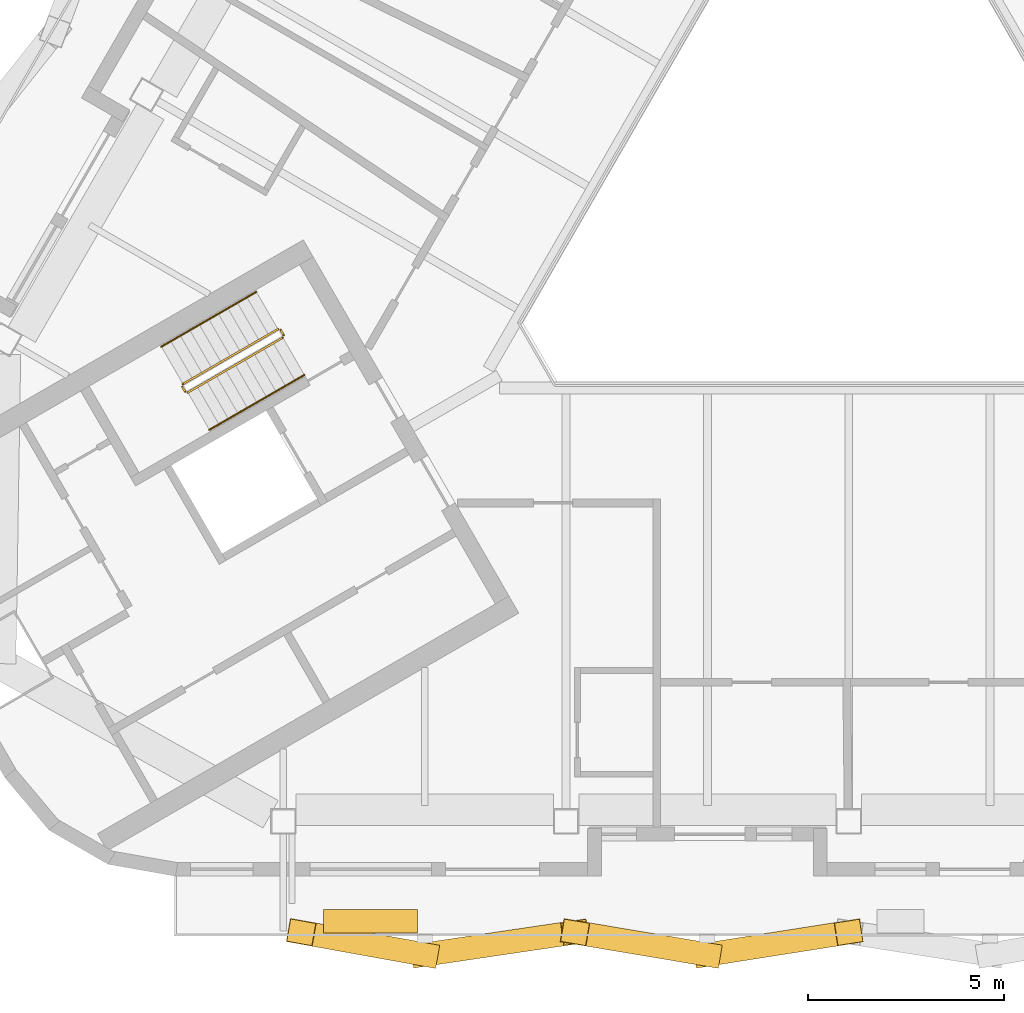
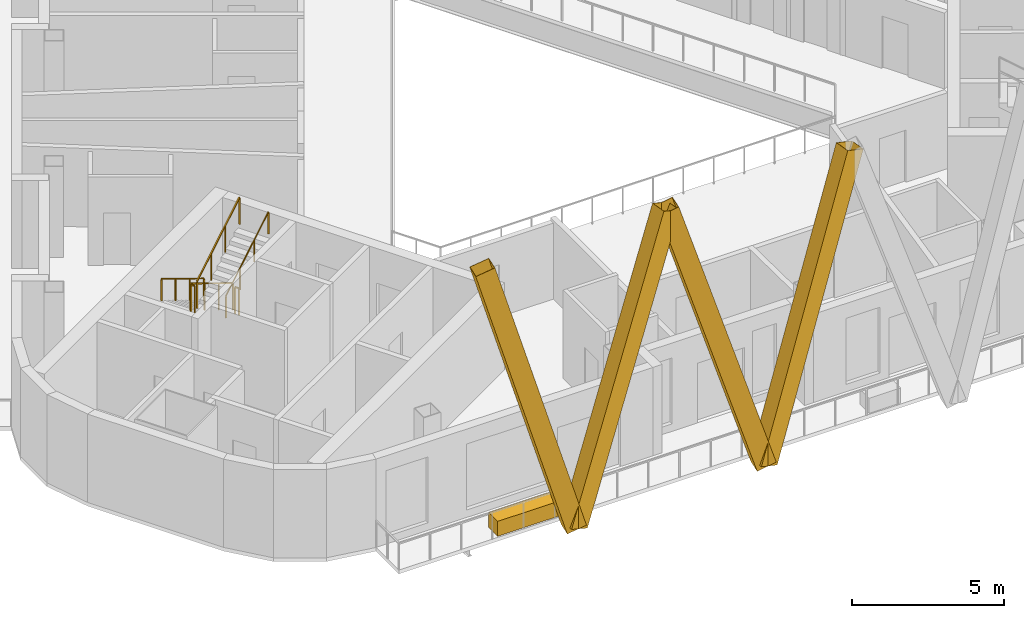
# One storey, part 9 of 13: 6 railings, 4 shading devices, 1 covering.
"""IFC4 building model written with IfcOpenShell, lengths in metres."""

from ifc_helpers import new_model, si_unit, direction, frame, origin, origin_2d, place, context, subcontext, project, spatial, rectangle, hollow_rectangle, circle, extrude, material, material_profile, profile_set, type_object, element, save


model = new_model("IFC4")

# Units and contexts
model_context = context("Model", 3, precision=1e-05, world=origin(), true_north=direction((0.0, 1.0)))
body_context = subcontext(model_context, "Body", "Model", "MODEL_VIEW")
ifc_project = project(units=[si_unit("LENGTHUNIT", "METRE"), si_unit("AREAUNIT", "SQUARE_METRE"), si_unit("VOLUMEUNIT", "CUBIC_METRE"), si_unit("PLANEANGLEUNIT", "RADIAN"), si_unit("MASSUNIT", "GRAM", prefix="KILO")], contexts=[model_context])

# Site, building, storey
site_placement = place(None, origin())
site = spatial("IfcSite", under=ifc_project, at=site_placement, CompositionType="ELEMENT")
building_placement = place(site_placement, origin())
building = spatial("IfcBuilding", under=site, at=building_placement, Name="Apuvela Tower Hotel", CompositionType="ELEMENT")
storey_placement = place(building_placement, frame((0.0, 0.0, 280.0)))
storey = spatial("IfcBuildingStorey", under=building, at=storey_placement, Name="L69", CompositionType="ELEMENT", Elevation=280.0)

# Railings
ifc_material_1 = material(Name="Steel S275 balustrade", Category="steel")
railing_type_1 = type_object("IfcRailingType", Name="COR-GUARD-1100", PredefinedType="GUARDRAIL", material=ifc_material_1)
railing_1_placement = place(storey_placement, frame((-14.569091796875, -3.9658203125, 0.168212890625)))
element("IfcRailing", 1, at=railing_1_placement, inside=storey, type_object=railing_type_1, Name="L69 ST2 stair guard 1", PredefinedType="GUARDRAIL", context=body_context, shape_type="SweptSolid", body=[
    extrude(rectangle(XDim=0.048095703125, YDim=0.048095703125, at=origin_2d()), frame((0.0, 0.0, 1.076171875), z_axis=(-0.742390482028, -0.42860119049, 0.514934356695), x_axis=(0.49998411664, -0.866034573852, 0.0)), (0.0, 0.0, 1.0), 3.26611328125),
    extrude(rectangle(XDim=0.0419921875, YDim=0.0419921875, at=origin_2d()), origin(), (0.0, 0.0, 1.0), 1.052001953125),
    extrude(rectangle(XDim=0.0419921875, YDim=0.0419921875, at=origin_2d()), frame((-0.808349609375, -0.466552734375, 0.560546875)), (0.0, 0.0, 1.0), 1.052001953125),
    extrude(rectangle(XDim=0.0419921875, YDim=0.0419921875, at=origin_2d()), frame((-1.616455078125, -0.933349609375, 1.121337890625)), (0.0, 0.0, 1.0), 1.052001953125),
    extrude(rectangle(XDim=0.0419921875, YDim=0.0419921875, at=origin_2d()), frame((-2.4248046875, -1.39990234375, 1.681884765625)), (0.0, 0.0, 1.0), 1.052001953125),
])
railing_2_placement = place(storey_placement, frame((-17.01220703125, -5.43408203125, 1.85009765625)))
element("IfcRailing", 2, at=railing_2_placement, inside=storey, type_object=railing_type_1, Name="L69 ST2 stair guard 2", PredefinedType="GUARDRAIL", context=body_context, shape_type="SweptSolid", body=[
    extrude(rectangle(XDim=0.048095703125, YDim=0.048095703125, at=origin_2d()), frame((0.0, 0.0, 1.076171875), z_axis=(0.499816412211, -0.866131372301, 0.0), x_axis=(0.866131372301, 0.499816412211, 0.0)), (0.0, 0.0, 1.0), 0.14990234375),
    extrude(rectangle(XDim=0.0419921875, YDim=0.0419921875, at=origin_2d()), origin(), (0.0, 0.0, 1.0), 1.052001953125),
    extrude(rectangle(XDim=0.0419921875, YDim=0.0419921875, at=origin_2d()), frame((0.074951171875, -0.1298828125, 0.0)), (0.0, 0.0, 1.0), 1.052001953125),
])
railing_3_placement = place(storey_placement, frame((-16.868896484375, -5.582275390625, 2.01806640625)))
element("IfcRailing", 3, at=railing_3_placement, inside=storey, type_object=railing_type_1, Name="L69 ST2 stair guard 3", PredefinedType="GUARDRAIL", context=body_context, shape_type="SweptSolid", body=[
    extrude(rectangle(XDim=0.048095703125, YDim=0.048095703125, at=origin_2d()), frame((0.0, 0.0, 1.076171875), z_axis=(0.742390482028, 0.42860119049, 0.514934356695), x_axis=(-0.49998411664, 0.866034573852, 0.0)), (0.0, 0.0, 1.0), 3.26611328125),
    extrude(rectangle(XDim=0.0419921875, YDim=0.0419921875, at=origin_2d()), origin(), (0.0, 0.0, 1.0), 1.052001953125),
    extrude(rectangle(XDim=0.0419921875, YDim=0.0419921875, at=origin_2d()), frame((0.808349609375, 0.466552734375, 0.560546875)), (0.0, 0.0, 1.0), 1.052001953125),
    extrude(rectangle(XDim=0.0419921875, YDim=0.0419921875, at=origin_2d()), frame((1.616455078125, 0.933349609375, 1.121337890625)), (0.0, 0.0, 1.0), 1.052001953125),
    extrude(rectangle(XDim=0.0419921875, YDim=0.0419921875, at=origin_2d()), frame((2.4248046875, 1.39990234375, 1.681884765625)), (0.0, 0.0, 1.0), 1.052001953125),
])
railing_4_placement = place(storey_placement, frame((-14.500732421875, -3.984130859375, 0.0)))
element("IfcRailing", 4, at=railing_4_placement, inside=storey, type_object=railing_type_1, Name="L69 ST2 stair guard 4", PredefinedType="GUARDRAIL", context=body_context, shape_type="SweptSolid", body=[
    extrude(rectangle(XDim=0.048095703125, YDim=0.048095703125, at=origin_2d()), frame((0.0, 0.0, 1.076171875), z_axis=(0.499816412211, -0.866131372301, 0.0), x_axis=(0.866131372301, 0.499816412211, 0.0)), (0.0, 0.0, 1.0), 0.14990234375),
    extrude(rectangle(XDim=0.0419921875, YDim=0.0419921875, at=origin_2d()), origin(), (0.0, 0.0, 1.0), 1.052001953125),
    extrude(rectangle(XDim=0.0419921875, YDim=0.0419921875, at=origin_2d()), frame((0.074951171875, -0.1298828125, 0.0)), (0.0, 0.0, 1.0), 1.052001953125),
])
ifc_material_2 = material(Name="Stainless steel 316 handrail", Category="steel")
railing_type_2 = type_object("IfcRailingType", Name="COR-HANDRAIL-900", PredefinedType="HANDRAIL", material=ifc_material_2)
railing_5_placement = place(storey_placement, frame((-15.118896484375, -3.01318359375, 0.168212890625)))
element("IfcRailing", 5, at=railing_5_placement, inside=storey, type_object=railing_type_2, Name="L69 ST2 stair handrail 1", PredefinedType="HANDRAIL", context=body_context, shape_type="SweptSolid", body=[
    extrude(circle(Radius=0.02392578125, at=origin_2d()), frame((0.0, 0.0, 0.8759765625), z_axis=(-0.742424030051, -0.428577407461, 0.514905783049), x_axis=(0.49994636267, -0.866056369097, 0.0)), (0.0, 0.0, 1.0), 3.266357421875),
    extrude(rectangle(XDim=0.0419921875, YDim=0.0419921875, at=origin_2d()), origin(), (0.0, 0.0, 1.0), 0.851806640625),
    extrude(rectangle(XDim=0.0419921875, YDim=0.0419921875, at=origin_2d()), frame((-0.808349609375, -0.466552734375, 0.560546875)), (0.0, 0.0, 1.0), 0.851806640625),
    extrude(rectangle(XDim=0.0419921875, YDim=0.0419921875, at=origin_2d()), frame((-1.61669921875, -0.933349609375, 1.121337890625)), (0.0, 0.0, 1.0), 0.851806640625),
    extrude(rectangle(XDim=0.0419921875, YDim=0.0419921875, at=origin_2d()), frame((-2.425048828125, -1.39990234375, 1.681884765625)), (0.0, 0.0, 1.0), 0.851806640625),
])
railing_6_placement = place(storey_placement, frame((-16.31884765625, -6.534912109375, 2.01806640625)))
element("IfcRailing", 6, at=railing_6_placement, inside=storey, type_object=railing_type_2, Name="L69 ST2 stair handrail 2", PredefinedType="HANDRAIL", context=body_context, shape_type="SweptSolid", body=[
    extrude(circle(Radius=0.02392578125, at=origin_2d()), frame((0.0, 0.0, 0.8759765625), z_axis=(0.742390482028, 0.42860119049, 0.514934356695), x_axis=(-0.49998411664, 0.866034573852, 0.0)), (0.0, 0.0, 1.0), 3.26611328125),
    extrude(rectangle(XDim=0.0419921875, YDim=0.0419921875, at=origin_2d()), origin(), (0.0, 0.0, 1.0), 0.851806640625),
    extrude(rectangle(XDim=0.0419921875, YDim=0.0419921875, at=origin_2d()), frame((0.808349609375, 0.466552734375, 0.560546875)), (0.0, 0.0, 1.0), 0.851806640625),
    extrude(rectangle(XDim=0.0419921875, YDim=0.0419921875, at=origin_2d()), frame((1.616455078125, 0.933349609375, 1.121337890625)), (0.0, 0.0, 1.0), 0.851806640625),
    extrude(rectangle(XDim=0.0419921875, YDim=0.0419921875, at=origin_2d()), frame((2.4248046875, 1.39990234375, 1.681884765625)), (0.0, 0.0, 1.0), 0.851806640625),
])

# Shading devices
ifc_material_3 = material(Name="Aluminium 6063-T6, black anodised", Category="aluminium")
ifc_material_profile = material_profile(ifc_material_3, hollow_rectangle(XDim=0.60009765625, YDim=0.699951171875, WallThickness=0.011962890625, at=origin_2d()), Name="AL BOX 700x600x12")
ifc_profile_set = profile_set([ifc_material_profile], Name="Aluminium 6063-T6, black anodised")
shading_device_type = type_object("IfcShadingDeviceType", Name="ENV-FIN-700x600", PredefinedType="USERDEFINED", material=ifc_profile_set)
shading_device_1_placement = place(storey_placement, frame((-10.822998046875, -19.9287109375, -0.10009765625), z_axis=(-0.27276226304, 0.049091712795, 0.960828159244), x_axis=(-0.177133794906, -0.984186780394, 0.0)))
element("IfcShadingDevice", 7, at=shading_device_1_placement, inside=storey, type_object=shading_device_type, Name="Lattice fin S553", ObjectType="FIN", PredefinedType="USERDEFINED", context=body_context, shape_type="SweptSolid", body=[
    extrude(hollow_rectangle(XDim=0.60009765625, YDim=0.699951171875, WallThickness=0.011962890625, at=origin_2d()), origin(), (0.0, 0.0, 1.0), 11.552734375),
])
shading_device_2_placement = place(storey_placement, frame((-10.822998046875, -19.9287109375, -0.10009765625), z_axis=(0.326243397672, 0.048234687678, 0.944054373635), x_axis=(-0.146258864264, 0.989246351838, 0.0)))
element("IfcShadingDevice", 8, at=shading_device_2_placement, inside=storey, type_object=shading_device_type, Name="Lattice fin S554", ObjectType="FIN", PredefinedType="USERDEFINED", context=body_context, shape_type="SweptSolid", body=[
    extrude(hollow_rectangle(XDim=0.60009765625, YDim=0.699951171875, WallThickness=0.011962890625, at=origin_2d()), origin(), (0.0, 0.0, 1.0), 11.7578125),
])
shading_device_3_placement = place(storey_placement, frame((-3.607666015625, -19.9287109375, -0.10009765625), z_axis=(-0.29090140611, 0.048819821297, 0.955506670292), x_axis=(-0.165508034258, -0.986208441759, 0.0)))
element("IfcShadingDevice", 9, at=shading_device_3_placement, inside=storey, type_object=shading_device_type, Name="Lattice fin S555", ObjectType="FIN", PredefinedType="USERDEFINED", context=body_context, shape_type="SweptSolid", body=[
    extrude(hollow_rectangle(XDim=0.60009765625, YDim=0.699951171875, WallThickness=0.011962890625, at=origin_2d()), origin(), (0.0, 0.0, 1.0), 11.616943359375),
])
shading_device_4_placement = place(storey_placement, frame((-3.607666015625, -19.9287109375, -0.10009765625), z_axis=(0.308732219208, 0.048533866497, 0.949909932902), x_axis=(-0.155296550327, 0.987867896764, 0.0)))
element("IfcShadingDevice", 10, at=shading_device_4_placement, inside=storey, type_object=shading_device_type, Name="Lattice fin S556", ObjectType="FIN", PredefinedType="USERDEFINED", context=body_context, shape_type="SweptSolid", body=[
    extrude(hollow_rectangle(XDim=0.60009765625, YDim=0.699951171875, WallThickness=0.011962890625, at=origin_2d()), origin(), (0.0, 0.0, 1.0), 11.685302734375),
])

# Covering
ifc_material_4 = material(Name="Planting substrate and soil, planted")
covering_type = type_object("IfcCoveringType", Name="ENV-PLANTER-2400x600", PredefinedType="USERDEFINED", material=ifc_material_4)
covering_placement = place(storey_placement, frame((-12.20556640625, -19.07861328125, 0.0), z_axis=(0.0, 0.0, 1.0), x_axis=(1.0, 0.0, 0.0)))
element("IfcCovering", 11, at=covering_placement, inside=storey, type_object=covering_type, Name="Planter S1", ObjectType="PLANTER", PredefinedType="USERDEFINED", context=body_context, shape_type="SweptSolid", body=[
    extrude(rectangle(XDim=2.39990234375, YDim=0.60009765625, at=origin_2d()), origin(), (0.0, 0.0, 1.0), 0.60009765625),
])

save(model, "model.ifc")
